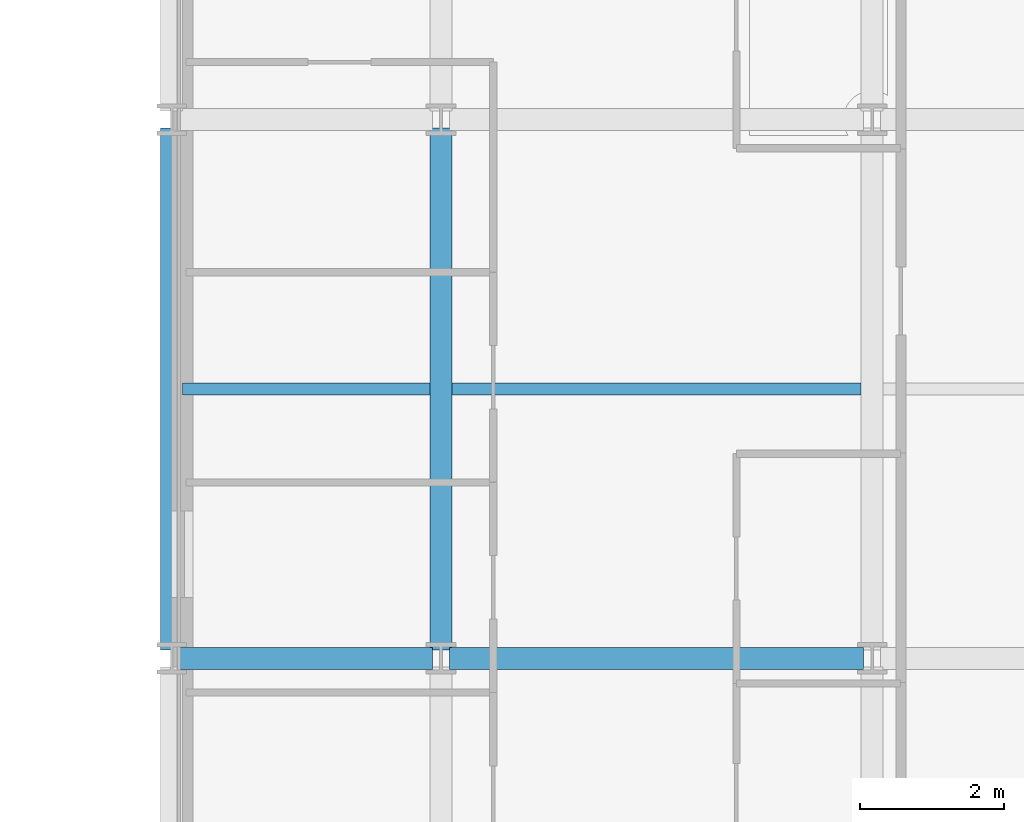
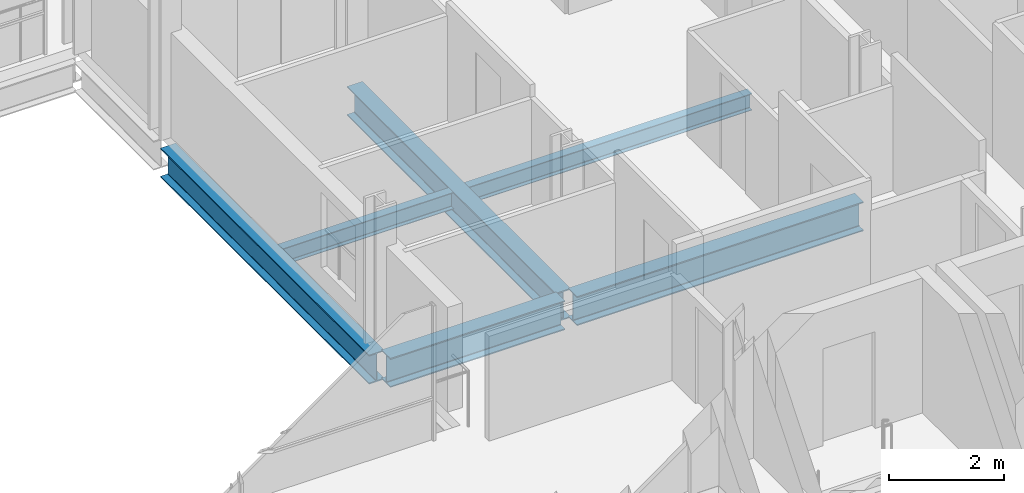
# One storey, part 16 of 41: 6 beams.
"""IFC4 building model written with IfcOpenShell, lengths in metres."""

import ifcopenshell
import ifcopenshell.guid

model = None  # the IFC model being written
_history = None  # IfcOwnerHistory: only IFC2X3 demands one
_inside = {}  # id of a spatial element -> (the spatial element, [elements in it])
_under = {}  # id of a project, library or spatial element -> (it, [spatial elements below it])
_declared = {}  # id of a project -> (the project, [libraries it declares])
_typed = {}  # id of a type object -> (the type object, [elements of that type])
_made_of = {}  # id of a material, layer set ... -> (it, [elements and type objects made of it])


def new_model(schema):
    """Start an empty IFC model of exactly this schema.

    Asked for "IFC4X3", IfcOpenShell would pick the latest addendum, in which some entities
    have other attributes; the version numbers below select the first issue.
    IFC2X3 requires an IfcOwnerHistory on every rooted entity: one is made here for all.
    """
    global model, _history
    if schema == "IFC4X3":
        model = ifcopenshell.file(schema_version=(4, 3, 0, 0))
    else:
        model = ifcopenshell.file(schema=schema)
    _inside.clear()
    _under.clear()
    _declared.clear()
    _typed.clear()
    _made_of.clear()
    _history = None
    if model.schema == "IFC2X3":
        org = make("IfcOrganization", Name="unknown")
        user = make(
            "IfcPersonAndOrganization",
            ThePerson=make("IfcPerson", FamilyName="unknown"),
            TheOrganization=org,
        )
        app = make(
            "IfcApplication",
            ApplicationDeveloper=org,
            Version="unknown",
            ApplicationFullName="unknown",
            ApplicationIdentifier="unknown",
        )
        _history = make(
            "IfcOwnerHistory",
            OwningUser=user,
            OwningApplication=app,
            ChangeAction="ADDED",
            CreationDate=0,
        )
    return model


def make(cls, **values):
    """One entity of the class cls with the attributes given. An attribute that is None is left unset."""
    return model.create_entity(
        cls, **{name: value for name, value in values.items() if value is not None}
    )


def rooted(cls, **values):
    """An entity with a GlobalId (a new one), such as an element, a storey or a relation."""
    return make(cls, GlobalId=ifcopenshell.guid.new(), OwnerHistory=_history, **values)


def si_unit(unit_type, name, prefix=None):
    """IfcSIUnit, for example si_unit("LENGTHUNIT", "METRE", prefix="MILLI")."""
    return make("IfcSIUnit", UnitType=unit_type, Prefix=prefix, Name=name)


def assignment(units):
    """IfcUnitAssignment: the units of a project."""
    return None if units is None else make("IfcUnitAssignment", Units=units)


def point(xyz):
    """IfcCartesianPoint."""
    return None if xyz is None else make("IfcCartesianPoint", Coordinates=xyz)


def direction(xyz):
    """IfcDirection."""
    return None if xyz is None else make("IfcDirection", DirectionRatios=xyz)


def frame(location, z_axis=None, x_axis=None):
    """IfcAxis2Placement3D, a coordinate frame: its origin and axes. An axis left out is left unset."""
    return make(
        "IfcAxis2Placement3D",
        Location=point(location),
        Axis=direction(z_axis),
        RefDirection=direction(x_axis),
    )


def frame_2d(location, x_axis=None):
    """IfcAxis2Placement2D, a coordinate frame in the plane: its origin and x axis."""
    return make(
        "IfcAxis2Placement2D", Location=point(location), RefDirection=direction(x_axis)
    )


def origin():
    """The frame at (0, 0, 0) with its axes left unset."""
    return frame((0.0, 0.0, 0.0))


def origin_2d():
    """The frame at (0, 0) in the plane with its x axis left unset."""
    return frame_2d((0.0, 0.0))


def place(relative_to, where):
    """IfcLocalPlacement: puts the frame where relative to a parent placement (None: the world)."""
    return make(
        "IfcLocalPlacement", PlacementRelTo=relative_to, RelativePlacement=where
    )


def context(
    kind, dimensions, precision=None, world=None, true_north=None, identifier=None
):
    """IfcGeometricRepresentationContext, for example the 3D "Model" context."""
    return make(
        "IfcGeometricRepresentationContext",
        ContextIdentifier=identifier,
        ContextType=kind,
        CoordinateSpaceDimension=dimensions,
        Precision=precision,
        WorldCoordinateSystem=world,
        TrueNorth=true_north,
    )


def subcontext(parent, identifier, kind, view, scale=None):
    """IfcGeometricRepresentationSubContext, for example "Body" below "Model"."""
    return make(
        "IfcGeometricRepresentationSubContext",
        ContextIdentifier=identifier,
        ContextType=kind,
        ParentContext=parent,
        TargetScale=scale,
        TargetView=view,
    )


def project(units=None, contexts=None):
    """IfcProject with its units and contexts."""
    return rooted(
        "IfcProject",
        Name="project",
        RepresentationContexts=contexts,
        UnitsInContext=assignment(units),
    )


def spatial(cls, under=None, at=None, **own):
    """A site, building, storey or space (cls), placed at a placement, below another one or the project."""
    s = rooted(cls, ObjectPlacement=at, **own)
    if under is not None:
        _under.setdefault(under.id(), (under, []))[1].append(s)
    return s


def profile(cls, at=None, kind="AREA", **sizes):
    """A parametric profile (cls). Its sizes go by their IFC names, for example OverallWidth=200.0."""
    return make(cls, ProfileType=kind, Position=at, **sizes)


def i_section(**sizes):
    """IfcIShapeProfileDef."""
    return profile("IfcIShapeProfileDef", **sizes)


def extrude(swept, where, along, depth):
    """IfcExtrudedAreaSolid: the profile swept, set in the frame where, extruded along a direction by depth."""
    return make(
        "IfcExtrudedAreaSolid",
        SweptArea=swept,
        Position=where,
        ExtrudedDirection=direction(along),
        Depth=depth,
    )


def shape(context_of_items, identifier, shape_type, items):
    """IfcShapeRepresentation: the items that make up one representation, for example the "Body"."""
    return make(
        "IfcShapeRepresentation",
        ContextOfItems=context_of_items,
        RepresentationIdentifier=identifier,
        RepresentationType=shape_type,
        Items=items,
    )


def material(Name=None, Category=None):
    """IfcMaterial."""
    return make("IfcMaterial", Name=Name, Category=Category)


def material_profile(
    of_material, cross_section, Name=None, Category=None, Priority=None
):
    """IfcMaterialProfile: a cross section and its material."""
    return make(
        "IfcMaterialProfile",
        Name=Name,
        Material=of_material,
        Profile=cross_section,
        Priority=Priority,
        Category=Category,
    )


def profile_set(profiles, Name=None, composite=None):
    """IfcMaterialProfileSet."""
    return make(
        "IfcMaterialProfileSet",
        Name=Name,
        MaterialProfiles=profiles,
        CompositeProfile=composite,
    )


def made_of(thing, what):
    """Note that an element or type object is made of a material, layer set ...; save() writes the relation."""
    if what is not None:
        _made_of.setdefault(what.id(), (what, []))[1].append(thing)
    return thing


def type_object(cls, material=None, **own):
    """A type object (cls), such as IfcWallType, which elements share."""
    return made_of(rooted(cls, **own), material)


def element(
    cls,
    number,
    at=None,
    inside=None,
    cuts=None,
    type_object=None,
    material=None,
    context=None,
    identifier="Body",
    shape_type=None,
    held_by="IfcProductDefinitionShape",
    body=None,
    shapes=None,
    **own,
):
    """One element of the class cls, such as IfcWall. Its Tag is "e" and its number.

    at: its placement. inside: the storey or other place that contains it. cuts: it is an
    opening in that element (IfcRelVoidsElement). A single representation is given by context,
    identifier, shape_type and body (its items); several are given by shapes. held_by: the class
    of the entity that holds the representations. save() writes the other relations.
    """
    e = rooted(cls, Tag="e%d" % number, ObjectPlacement=at, **own)
    if body is not None:
        shapes = [shape(context, identifier, shape_type, body)]
    if shapes is not None:
        e.Representation = make(held_by, Representations=shapes)
    if inside is not None:
        _inside.setdefault(inside.id(), (inside, []))[1].append(e)
    if cuts is not None:
        rooted(
            "IfcRelVoidsElement", RelatingBuildingElement=cuts, RelatedOpeningElement=e
        )
    if type_object is not None:
        _typed.setdefault(type_object.id(), (type_object, []))[1].append(e)
    return made_of(e, material)


def aggregate(whole, parts):
    """IfcRelAggregates: a whole, such as a stair, and the parts it consists of."""
    return rooted("IfcRelAggregates", RelatingObject=whole, RelatedObjects=parts)


def save(model, path):
    """Write the relations noted so far, then the file.

    IfcRelAggregates (storeys below a building ...), IfcRelContainedInSpatialStructure (elements
    in a storey), IfcRelDefinesByType, IfcRelAssociatesMaterial and IfcRelDeclares: one each for
    every whole, place, type object, material and project.
    """
    for whole, parts in _under.values():
        aggregate(whole, parts)
    for where, things in _inside.values():
        rooted(
            "IfcRelContainedInSpatialStructure",
            RelatedElements=things,
            RelatingStructure=where,
        )
    for kind, things in _typed.values():
        rooted("IfcRelDefinesByType", RelatedObjects=things, RelatingType=kind)
    for what, things in _made_of.values():
        rooted("IfcRelAssociatesMaterial", RelatedObjects=things, RelatingMaterial=what)
    for by, libraries in _declared.values():
        rooted("IfcRelDeclares", RelatingContext=by, RelatedDefinitions=libraries)
    model.write(path)


model = new_model("IFC4")

# Units and contexts
model_context = context("Model", 3, precision=1e-05, world=origin(), true_north=direction((0.0, 1.0)))
body_context = subcontext(model_context, "Body", "Model", "MODEL_VIEW")
ifc_project = project(units=[si_unit("LENGTHUNIT", "METRE"), si_unit("AREAUNIT", "SQUARE_METRE"), si_unit("VOLUMEUNIT", "CUBIC_METRE"), si_unit("PLANEANGLEUNIT", "RADIAN"), si_unit("MASSUNIT", "GRAM", prefix="KILO")], contexts=[model_context])

# Site, building, storey
site_placement = place(None, origin())
site = spatial("IfcSite", under=ifc_project, at=site_placement, CompositionType="ELEMENT")
building_placement = place(site_placement, origin())
building = spatial("IfcBuilding", under=site, at=building_placement, Name="Brevholm Reach", CompositionType="ELEMENT")
storey_placement = place(building_placement, frame((0.0, 0.0, 68.300048828125)))
storey = spatial("IfcBuildingStorey", under=building, at=storey_placement, Name="L19", CompositionType="ELEMENT", Elevation=68.300048828125)

# Beams
ifc_material_1 = material(Name="Structural Steel S355J2", Category="steel")
ifc_material_profile_1 = material_profile(ifc_material_1, i_section(OverallWidth=0.17138671875, OverallDepth=0.35498046875, WebThickness=0.00732421875, FlangeThickness=0.011474609375, FilletRadius=0.01025390625, at=origin_2d()), Name="UKB 356x171x51")
ifc_profile_set_1 = profile_set([ifc_material_profile_1], Name="Structural Steel S355J2")
beam_type_1 = type_object("IfcBeamType", Name="BM-B356", PredefinedType="BEAM", material=ifc_profile_set_1)
beam_1_placement = place(storey_placement, frame((38.403564453125, 19.75, -0.407470703125), z_axis=(1.0, 0.0, 0.0), x_axis=(0.0, 1.0, 0.0)))
element("IfcBeam", 1, at=beam_1_placement, inside=storey, type_object=beam_type_1, Name="L19 Composite Secondary Floor Beam", PredefinedType="BEAM", context=body_context, shape_type="SweptSolid", body=[
    extrude(i_section(OverallWidth=0.17138671875, OverallDepth=0.35498046875, WebThickness=0.00732421875, FlangeThickness=0.011474609375, FilletRadius=0.01025390625, at=origin_2d()), origin(), (0.0, 0.0, 1.0), 3.44287109375),
])
beam_2_placement = place(storey_placement, frame((42.153564453125, 19.75, -0.407470703125), z_axis=(1.0, 0.0, 0.0), x_axis=(0.0, 1.0, 0.0)))
element("IfcBeam", 2, at=beam_2_placement, inside=storey, type_object=beam_type_1, Name="L19 Composite Secondary Floor Beam", PredefinedType="BEAM", context=body_context, shape_type="SweptSolid", body=[
    extrude(i_section(OverallWidth=0.17138671875, OverallDepth=0.35498046875, WebThickness=0.00732421875, FlangeThickness=0.011474609375, FilletRadius=0.01025390625, at=origin_2d()), origin(), (0.0, 0.0, 1.0), 5.69287109375),
])
ifc_material_2 = material(Name="Structural Steel S355J2", Category="steel")
ifc_material_profile_2 = material_profile(ifc_material_2, i_section(OverallWidth=0.30712890625, OverallDepth=0.6201171875, WebThickness=0.01416015625, FlangeThickness=0.023681640625, FilletRadius=0.0166015625, at=origin_2d()), Name="UKB 610x305x179")
ifc_profile_set_2 = profile_set([ifc_material_profile_2], Name="Structural Steel S355J2")
beam_type_2 = type_object("IfcBeamType", Name="BM-UKB610H", PredefinedType="USERDEFINED", material=ifc_profile_set_2)
beam_3_placement = place(storey_placement, frame((38.3701171875, 16.0, -0.5400390625), z_axis=(1.0, 0.0, 0.0), x_axis=(0.0, 1.0, 0.0)))
element("IfcBeam", 3, at=beam_3_placement, inside=storey, type_object=beam_type_2, Name="L19 G-06 Framing Beam", ObjectType="GIRDER", PredefinedType="USERDEFINED", context=body_context, shape_type="SweptSolid", body=[
    extrude(i_section(OverallWidth=0.30712890625, OverallDepth=0.6201171875, WebThickness=0.01416015625, FlangeThickness=0.023681640625, FilletRadius=0.0166015625, at=origin_2d()), origin(), (0.0, 0.0, 1.0), 3.509765625),
])
beam_4_placement = place(storey_placement, frame((42.1201171875, 16.0, -0.5400390625), z_axis=(1.0, 0.0, 0.0), x_axis=(0.0, 1.0, 0.0)))
element("IfcBeam", 4, at=beam_4_placement, inside=storey, type_object=beam_type_2, Name="L19 G-06 Framing Beam", ObjectType="GIRDER", PredefinedType="USERDEFINED", context=body_context, shape_type="SweptSolid", body=[
    extrude(i_section(OverallWidth=0.30712890625, OverallDepth=0.6201171875, WebThickness=0.01416015625, FlangeThickness=0.023681640625, FilletRadius=0.0166015625, at=origin_2d()), origin(), (0.0, 0.0, 1.0), 5.759765625),
])
for number, where, z_axis, x_axis, name in (
    (5, (38.25, 16.1201171875, -0.5400390625), (0.0, 1.0, 0.0), (-1.0, 0.0, 0.0), "L19 G-06 Framing Beam"),
    (6, (42.0, 16.1201171875, -0.5400390625), (0.0, 1.0, 0.0), (-1.0, 0.0, 0.0), "L19 G-06 Framing Beam"),
):
    element("IfcBeam", number, at=place(storey_placement, frame(where, z_axis=z_axis, x_axis=x_axis)), inside=storey, type_object=beam_type_2, Name=name, ObjectType="GIRDER", PredefinedType="USERDEFINED", context=body_context, shape_type="SweptSolid", body=[
        extrude(i_section(OverallWidth=0.30712890625, OverallDepth=0.6201171875, WebThickness=0.01416015625, FlangeThickness=0.023681640625, FilletRadius=0.0166015625, at=origin_2d()), origin(), (0.0, 0.0, 1.0), 7.259765625),
    ])

save(model, "model.ifc")
